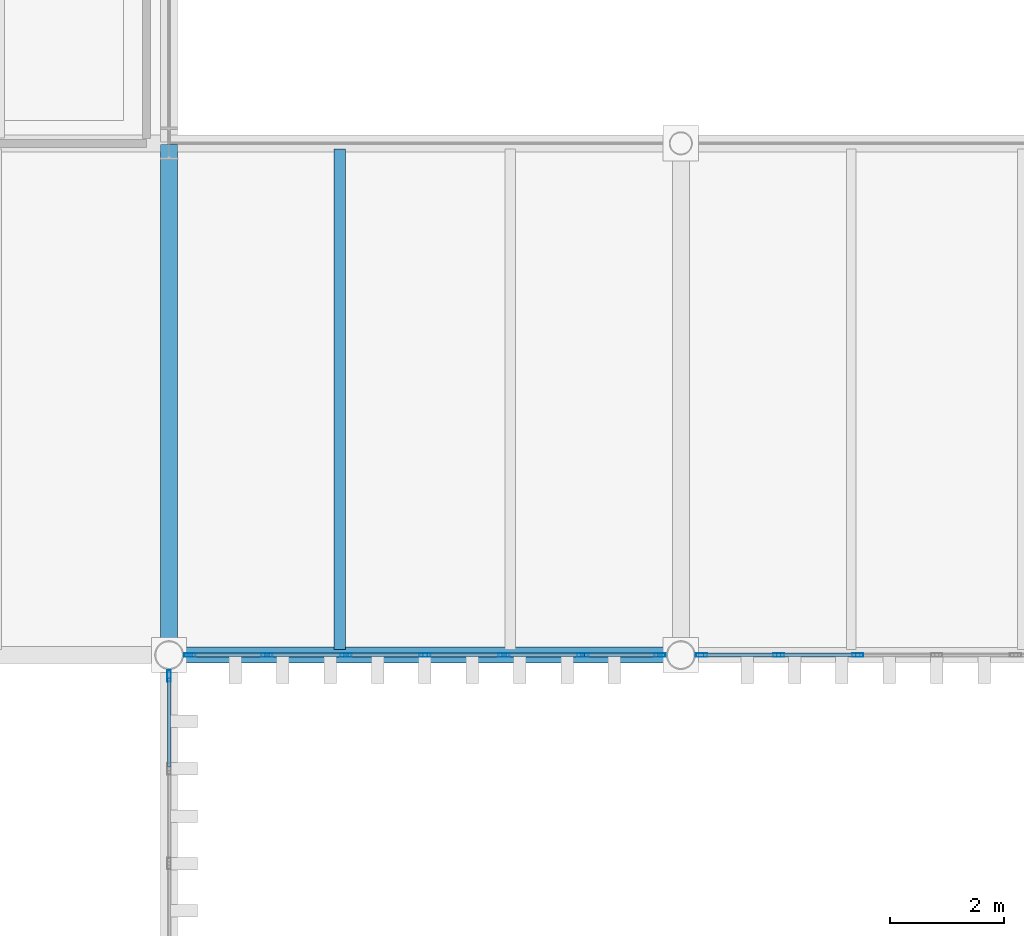
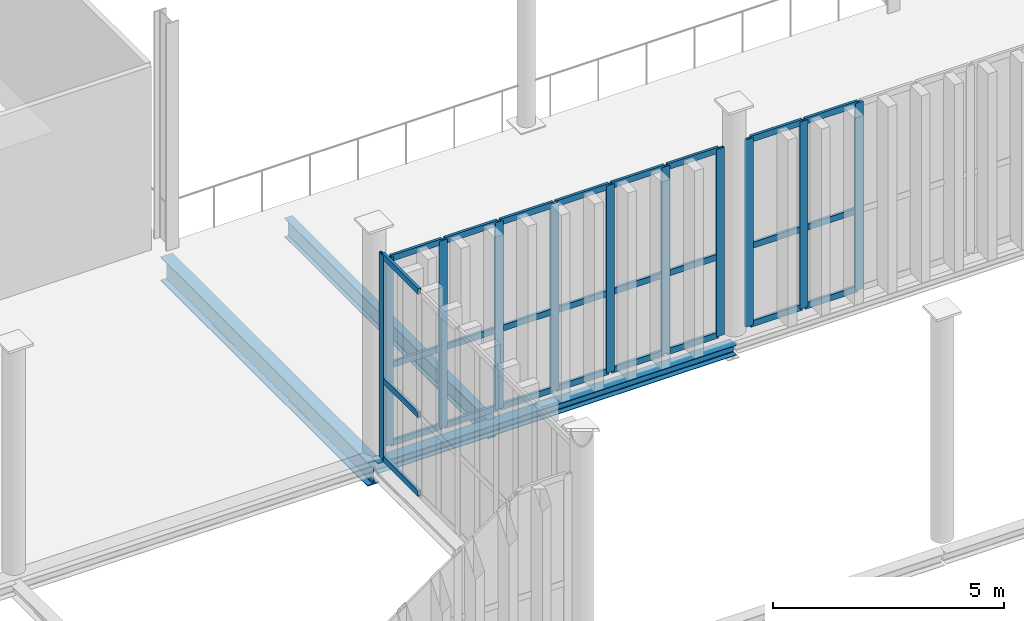
# One storey, part 32 of 211: 38 members, 3 beams, 3 elements without a shape of their own.
"""IFC4 building model written with IfcOpenShell, lengths in metres."""

from ifc_helpers import new_model, si_unit, direction, frame, origin, origin_2d, place, context, subcontext, project, spatial, hollow_rectangle, i_section, extrude, material, layer, layer_set, material_profile, profile_set, type_object, element, aggregate, save


model = new_model("IFC4")

# Units and contexts
model_context = context("Model", 3, precision=1e-05, world=origin(), true_north=direction((0.0, 1.0)))
body_context = subcontext(model_context, "Body", "Model", "MODEL_VIEW")
ifc_project = project(units=[si_unit("LENGTHUNIT", "METRE"), si_unit("AREAUNIT", "SQUARE_METRE"), si_unit("VOLUMEUNIT", "CUBIC_METRE"), si_unit("PLANEANGLEUNIT", "RADIAN"), si_unit("MASSUNIT", "GRAM", prefix="KILO")], contexts=[model_context])

# Site, building, storey
site_placement = place(None, origin())
site = spatial("IfcSite", under=ifc_project, at=site_placement, CompositionType="ELEMENT")
building_placement = place(site_placement, origin())
building = spatial("IfcBuilding", under=site, at=building_placement, Name="Barlavento Convention Centre", CompositionType="ELEMENT")
storey_placement = place(building_placement, frame((0.0, 0.0, 6.0)))
storey = spatial("IfcBuildingStorey", under=building, at=storey_placement, Name="L01", CompositionType="ELEMENT", Elevation=6.0)

# Curtain wall, members
ifc_material_1 = material(Name="Powder-coated aluminium and Low-E glass", Category="aluminium")
ifc_layer = layer(ifc_material_1, 0.18505859375)
ifc_layer_set = layer_set([ifc_layer], Name="ARC-CW-CONG-L01")
curtain_wall_type = type_object("IfcCurtainWallType", Name="ARC-CW-CONG-L01", PredefinedType="NOTDEFINED", material=ifc_layer_set)
curtain_wall_1_placement = place(storey_placement, origin())
curtain_wall_1 = element("IfcCurtainWall", 1, at=curtain_wall_1_placement, inside=storey, type_object=curtain_wall_type, Name="L01 unitised curtain wall CW01", PredefinedType="NOTDEFINED")
ifc_material_2 = material(Name="Powder-coated aluminium", Category="aluminium")
ifc_material_profile_1 = material_profile(ifc_material_2, hollow_rectangle(XDim=0.06494140625, YDim=0.199951171875, WallThickness=0.0048828125, at=origin_2d()), Name="AL-MULL 65x200x5")
ifc_profile_set_1 = profile_set([ifc_material_profile_1], Name="Powder-coated aluminium")
member_type_1 = type_object("IfcMemberType", Name="ARC-CWM-65X200", PredefinedType="MULLION", material=ifc_profile_set_1)
member_1_placement = place(storey_placement, frame((18.366455078125, 9.0, 0.0), z_axis=(0.0, 0.0, 1.0), x_axis=(0.0, 1.0, 0.0)))
member_1 = element("IfcMember", 2, at=member_1_placement, type_object=member_type_1, Name="CW01 mullion 1", PredefinedType="MULLION", context=body_context, shape_type="SweptSolid", body=[
    extrude(hollow_rectangle(XDim=0.06494140625, YDim=0.199951171875, WallThickness=0.0048828125, at=origin_2d()), origin(), (0.0, 0.0, 1.0), 4.949951171875),
])
member_2_placement = place(storey_placement, frame((19.72265625, 9.0, 0.0), z_axis=(0.0, 0.0, 1.0), x_axis=(0.0, 1.0, 0.0)))
member_2 = element("IfcMember", 3, at=member_2_placement, type_object=member_type_1, Name="CW01 mullion 2", PredefinedType="MULLION", context=body_context, shape_type="SweptSolid", body=[
    extrude(hollow_rectangle(XDim=0.06494140625, YDim=0.199951171875, WallThickness=0.0048828125, at=origin_2d()), origin(), (0.0, 0.0, 1.0), 4.949951171875),
])
member_3_placement = place(storey_placement, frame((21.111328125, 9.0, 0.0), z_axis=(0.0, 0.0, 1.0), x_axis=(0.0, 1.0, 0.0)))
member_3 = element("IfcMember", 4, at=member_3_placement, type_object=member_type_1, Name="CW01 mullion 3", PredefinedType="MULLION", context=body_context, shape_type="SweptSolid", body=[
    extrude(hollow_rectangle(XDim=0.06494140625, YDim=0.199951171875, WallThickness=0.0048828125, at=origin_2d()), origin(), (0.0, 0.0, 1.0), 4.949951171875),
])
member_4_placement = place(storey_placement, frame((22.5, 9.0, 0.0), z_axis=(0.0, 0.0, 1.0), x_axis=(0.0, 1.0, 0.0)))
member_4 = element("IfcMember", 5, at=member_4_placement, type_object=member_type_1, Name="CW01 mullion 4", PredefinedType="MULLION", context=body_context, shape_type="SweptSolid", body=[
    extrude(hollow_rectangle(XDim=0.06494140625, YDim=0.199951171875, WallThickness=0.0048828125, at=origin_2d()), origin(), (0.0, 0.0, 1.0), 4.949951171875),
])
member_5_placement = place(storey_placement, frame((23.888671875, 9.0, 0.0), z_axis=(0.0, 0.0, 1.0), x_axis=(0.0, 1.0, 0.0)))
member_5 = element("IfcMember", 6, at=member_5_placement, type_object=member_type_1, Name="CW01 mullion 5", PredefinedType="MULLION", context=body_context, shape_type="SweptSolid", body=[
    extrude(hollow_rectangle(XDim=0.06494140625, YDim=0.199951171875, WallThickness=0.0048828125, at=origin_2d()), origin(), (0.0, 0.0, 1.0), 4.949951171875),
])
member_6_placement = place(storey_placement, frame((25.27734375, 9.0, 0.0), z_axis=(0.0, 0.0, 1.0), x_axis=(0.0, 1.0, 0.0)))
member_6 = element("IfcMember", 7, at=member_6_placement, type_object=member_type_1, Name="CW01 mullion 6", PredefinedType="MULLION", context=body_context, shape_type="SweptSolid", body=[
    extrude(hollow_rectangle(XDim=0.06494140625, YDim=0.199951171875, WallThickness=0.0048828125, at=origin_2d()), origin(), (0.0, 0.0, 1.0), 4.949951171875),
])
member_7_placement = place(storey_placement, frame((26.633544921875, 9.0, 0.0), z_axis=(0.0, 0.0, 1.0), x_axis=(0.0, 1.0, 0.0)))
member_7 = element("IfcMember", 8, at=member_7_placement, type_object=member_type_1, Name="CW01 mullion 7", PredefinedType="MULLION", context=body_context, shape_type="SweptSolid", body=[
    extrude(hollow_rectangle(XDim=0.06494140625, YDim=0.199951171875, WallThickness=0.0048828125, at=origin_2d()), origin(), (0.0, 0.0, 1.0), 4.949951171875),
])

curtain_wall_2_placement = place(storey_placement, origin())
curtain_wall_2 = element("IfcCurtainWall", 9, at=curtain_wall_2_placement, inside=storey, type_object=curtain_wall_type, Name="L01 unitised curtain wall CW01", PredefinedType="NOTDEFINED")
member_8_placement = place(storey_placement, frame((27.366455078125, 9.0, 0.0), z_axis=(0.0, 0.0, 1.0), x_axis=(0.0, 1.0, 0.0)))
member_8 = element("IfcMember", 10, at=member_8_placement, type_object=member_type_1, Name="CW01 mullion 1", PredefinedType="MULLION", context=body_context, shape_type="SweptSolid", body=[
    extrude(hollow_rectangle(XDim=0.06494140625, YDim=0.199951171875, WallThickness=0.0048828125, at=origin_2d()), origin(), (0.0, 0.0, 1.0), 4.949951171875),
])
member_9_placement = place(storey_placement, frame((28.72265625, 9.0, 0.0), z_axis=(0.0, 0.0, 1.0), x_axis=(0.0, 1.0, 0.0)))
member_9 = element("IfcMember", 11, at=member_9_placement, type_object=member_type_1, Name="CW01 mullion 2", PredefinedType="MULLION", context=body_context, shape_type="SweptSolid", body=[
    extrude(hollow_rectangle(XDim=0.06494140625, YDim=0.199951171875, WallThickness=0.0048828125, at=origin_2d()), origin(), (0.0, 0.0, 1.0), 4.949951171875),
])
member_10_placement = place(storey_placement, frame((30.111328125, 9.0, 0.0), z_axis=(0.0, 0.0, 1.0), x_axis=(0.0, 1.0, 0.0)))
member_10 = element("IfcMember", 12, at=member_10_placement, type_object=member_type_1, Name="CW01 mullion 3", PredefinedType="MULLION", context=body_context, shape_type="SweptSolid", body=[
    extrude(hollow_rectangle(XDim=0.06494140625, YDim=0.199951171875, WallThickness=0.0048828125, at=origin_2d()), origin(), (0.0, 0.0, 1.0), 4.949951171875),
])

# Curtain wall, member
curtain_wall_3_placement = place(storey_placement, origin())
curtain_wall_3 = element("IfcCurtainWall", 13, at=curtain_wall_3_placement, inside=storey, type_object=curtain_wall_type, Name="L01 unitised curtain wall CW01", PredefinedType="NOTDEFINED")
member_11_placement = place(storey_placement, frame((18.0, 8.633544921875, 0.0), z_axis=(0.0, 0.0, 1.0), x_axis=(-1.0, 0.0, 0.0)))
member_11 = element("IfcMember", 14, at=member_11_placement, type_object=member_type_1, Name="CW01 mullion 6", PredefinedType="MULLION", context=body_context, shape_type="SweptSolid", body=[
    extrude(hollow_rectangle(XDim=0.06494140625, YDim=0.199951171875, WallThickness=0.0048828125, at=origin_2d()), origin(), (0.0, 0.0, 1.0), 5.39990234375),
])

# Member
ifc_material_profile_2 = material_profile(ifc_material_2, hollow_rectangle(XDim=0.06494140625, YDim=0.159912109375, WallThickness=0.0048828125, at=origin_2d()), Name="AL-TRAN 65x160x5")
ifc_profile_set_2 = profile_set([ifc_material_profile_2], Name="Powder-coated aluminium")
member_type_2 = type_object("IfcMemberType", Name="ARC-CWT-65X160", PredefinedType="USERDEFINED", material=ifc_profile_set_2)
member_12_placement = place(storey_placement, frame((18.39892578125, 9.0, 0.032470703125), z_axis=(1.0, 0.0, 0.0), x_axis=(0.0, 1.0, 0.0)))
member_12 = element("IfcMember", 15, at=member_12_placement, type_object=member_type_2, Name="CW01 transom 1.1", ObjectType="TRANSOM", PredefinedType="USERDEFINED", context=body_context, shape_type="SweptSolid", body=[
    extrude(hollow_rectangle(XDim=0.06494140625, YDim=0.159912109375, WallThickness=0.0048828125, at=origin_2d()), origin(), (0.0, 0.0, 1.0), 1.291259765625),
])

member_13_placement = place(storey_placement, frame((18.39892578125, 9.0, 2.10009765625), z_axis=(1.0, 0.0, 0.0), x_axis=(0.0, 1.0, 0.0)))
member_13 = element("IfcMember", 16, at=member_13_placement, type_object=member_type_2, Name="CW01 transom 1.2", ObjectType="TRANSOM", PredefinedType="USERDEFINED", context=body_context, shape_type="SweptSolid", body=[
    extrude(hollow_rectangle(XDim=0.06494140625, YDim=0.159912109375, WallThickness=0.0048828125, at=origin_2d()), origin(), (0.0, 0.0, 1.0), 1.291259765625),
])

member_14_placement = place(storey_placement, frame((18.39892578125, 9.0, 4.91748046875), z_axis=(1.0, 0.0, 0.0), x_axis=(0.0, 1.0, 0.0)))
member_14 = element("IfcMember", 17, at=member_14_placement, type_object=member_type_2, Name="CW01 transom 1.3", ObjectType="TRANSOM", PredefinedType="USERDEFINED", context=body_context, shape_type="SweptSolid", body=[
    extrude(hollow_rectangle(XDim=0.06494140625, YDim=0.159912109375, WallThickness=0.0048828125, at=origin_2d()), origin(), (0.0, 0.0, 1.0), 1.291259765625),
])

member_15_placement = place(storey_placement, frame((19.755126953125, 9.0, 0.032470703125), z_axis=(1.0, 0.0, 0.0), x_axis=(0.0, 1.0, 0.0)))
member_15 = element("IfcMember", 18, at=member_15_placement, type_object=member_type_2, Name="CW01 transom 2.1", ObjectType="TRANSOM", PredefinedType="USERDEFINED", context=body_context, shape_type="SweptSolid", body=[
    extrude(hollow_rectangle(XDim=0.06494140625, YDim=0.159912109375, WallThickness=0.0048828125, at=origin_2d()), origin(), (0.0, 0.0, 1.0), 1.32373046875),
])

member_16_placement = place(storey_placement, frame((19.755126953125, 9.0, 2.10009765625), z_axis=(1.0, 0.0, 0.0), x_axis=(0.0, 1.0, 0.0)))
member_16 = element("IfcMember", 19, at=member_16_placement, type_object=member_type_2, Name="CW01 transom 2.2", ObjectType="TRANSOM", PredefinedType="USERDEFINED", context=body_context, shape_type="SweptSolid", body=[
    extrude(hollow_rectangle(XDim=0.06494140625, YDim=0.159912109375, WallThickness=0.0048828125, at=origin_2d()), origin(), (0.0, 0.0, 1.0), 1.32373046875),
])

member_17_placement = place(storey_placement, frame((19.755126953125, 9.0, 4.91748046875), z_axis=(1.0, 0.0, 0.0), x_axis=(0.0, 1.0, 0.0)))
member_17 = element("IfcMember", 20, at=member_17_placement, type_object=member_type_2, Name="CW01 transom 2.3", ObjectType="TRANSOM", PredefinedType="USERDEFINED", context=body_context, shape_type="SweptSolid", body=[
    extrude(hollow_rectangle(XDim=0.06494140625, YDim=0.159912109375, WallThickness=0.0048828125, at=origin_2d()), origin(), (0.0, 0.0, 1.0), 1.32373046875),
])

member_18_placement = place(storey_placement, frame((21.143798828125, 9.0, 0.032470703125), z_axis=(1.0, 0.0, 0.0), x_axis=(0.0, 1.0, 0.0)))
member_18 = element("IfcMember", 21, at=member_18_placement, type_object=member_type_2, Name="CW01 transom 3.1", ObjectType="TRANSOM", PredefinedType="USERDEFINED", context=body_context, shape_type="SweptSolid", body=[
    extrude(hollow_rectangle(XDim=0.06494140625, YDim=0.159912109375, WallThickness=0.0048828125, at=origin_2d()), origin(), (0.0, 0.0, 1.0), 1.32373046875),
])

member_19_placement = place(storey_placement, frame((21.143798828125, 9.0, 2.10009765625), z_axis=(1.0, 0.0, 0.0), x_axis=(0.0, 1.0, 0.0)))
member_19 = element("IfcMember", 22, at=member_19_placement, type_object=member_type_2, Name="CW01 transom 3.2", ObjectType="TRANSOM", PredefinedType="USERDEFINED", context=body_context, shape_type="SweptSolid", body=[
    extrude(hollow_rectangle(XDim=0.06494140625, YDim=0.159912109375, WallThickness=0.0048828125, at=origin_2d()), origin(), (0.0, 0.0, 1.0), 1.32373046875),
])

member_20_placement = place(storey_placement, frame((21.143798828125, 9.0, 4.91748046875), z_axis=(1.0, 0.0, 0.0), x_axis=(0.0, 1.0, 0.0)))
member_20 = element("IfcMember", 23, at=member_20_placement, type_object=member_type_2, Name="CW01 transom 3.3", ObjectType="TRANSOM", PredefinedType="USERDEFINED", context=body_context, shape_type="SweptSolid", body=[
    extrude(hollow_rectangle(XDim=0.06494140625, YDim=0.159912109375, WallThickness=0.0048828125, at=origin_2d()), origin(), (0.0, 0.0, 1.0), 1.32373046875),
])

member_21_placement = place(storey_placement, frame((22.532470703125, 9.0, 0.032470703125), z_axis=(1.0, 0.0, 0.0), x_axis=(0.0, 1.0, 0.0)))
member_21 = element("IfcMember", 24, at=member_21_placement, type_object=member_type_2, Name="CW01 transom 4.1", ObjectType="TRANSOM", PredefinedType="USERDEFINED", context=body_context, shape_type="SweptSolid", body=[
    extrude(hollow_rectangle(XDim=0.06494140625, YDim=0.159912109375, WallThickness=0.0048828125, at=origin_2d()), origin(), (0.0, 0.0, 1.0), 1.32373046875),
])

member_22_placement = place(storey_placement, frame((22.532470703125, 9.0, 2.10009765625), z_axis=(1.0, 0.0, 0.0), x_axis=(0.0, 1.0, 0.0)))
member_22 = element("IfcMember", 25, at=member_22_placement, type_object=member_type_2, Name="CW01 transom 4.2", ObjectType="TRANSOM", PredefinedType="USERDEFINED", context=body_context, shape_type="SweptSolid", body=[
    extrude(hollow_rectangle(XDim=0.06494140625, YDim=0.159912109375, WallThickness=0.0048828125, at=origin_2d()), origin(), (0.0, 0.0, 1.0), 1.32373046875),
])

member_23_placement = place(storey_placement, frame((22.532470703125, 9.0, 4.91748046875), z_axis=(1.0, 0.0, 0.0), x_axis=(0.0, 1.0, 0.0)))
member_23 = element("IfcMember", 26, at=member_23_placement, type_object=member_type_2, Name="CW01 transom 4.3", ObjectType="TRANSOM", PredefinedType="USERDEFINED", context=body_context, shape_type="SweptSolid", body=[
    extrude(hollow_rectangle(XDim=0.06494140625, YDim=0.159912109375, WallThickness=0.0048828125, at=origin_2d()), origin(), (0.0, 0.0, 1.0), 1.32373046875),
])

member_24_placement = place(storey_placement, frame((23.921142578125, 9.0, 0.032470703125), z_axis=(1.0, 0.0, 0.0), x_axis=(0.0, 1.0, 0.0)))
member_24 = element("IfcMember", 27, at=member_24_placement, type_object=member_type_2, Name="CW01 transom 5.1", ObjectType="TRANSOM", PredefinedType="USERDEFINED", context=body_context, shape_type="SweptSolid", body=[
    extrude(hollow_rectangle(XDim=0.06494140625, YDim=0.159912109375, WallThickness=0.0048828125, at=origin_2d()), origin(), (0.0, 0.0, 1.0), 1.32373046875),
])

member_25_placement = place(storey_placement, frame((23.921142578125, 9.0, 2.10009765625), z_axis=(1.0, 0.0, 0.0), x_axis=(0.0, 1.0, 0.0)))
member_25 = element("IfcMember", 28, at=member_25_placement, type_object=member_type_2, Name="CW01 transom 5.2", ObjectType="TRANSOM", PredefinedType="USERDEFINED", context=body_context, shape_type="SweptSolid", body=[
    extrude(hollow_rectangle(XDim=0.06494140625, YDim=0.159912109375, WallThickness=0.0048828125, at=origin_2d()), origin(), (0.0, 0.0, 1.0), 1.32373046875),
])

member_26_placement = place(storey_placement, frame((23.921142578125, 9.0, 4.91748046875), z_axis=(1.0, 0.0, 0.0), x_axis=(0.0, 1.0, 0.0)))
member_26 = element("IfcMember", 29, at=member_26_placement, type_object=member_type_2, Name="CW01 transom 5.3", ObjectType="TRANSOM", PredefinedType="USERDEFINED", context=body_context, shape_type="SweptSolid", body=[
    extrude(hollow_rectangle(XDim=0.06494140625, YDim=0.159912109375, WallThickness=0.0048828125, at=origin_2d()), origin(), (0.0, 0.0, 1.0), 1.32373046875),
])

member_27_placement = place(storey_placement, frame((25.309814453125, 9.0, 0.032470703125), z_axis=(1.0, 0.0, 0.0), x_axis=(0.0, 1.0, 0.0)))
member_27 = element("IfcMember", 30, at=member_27_placement, type_object=member_type_2, Name="CW01 transom 6.1", ObjectType="TRANSOM", PredefinedType="USERDEFINED", context=body_context, shape_type="SweptSolid", body=[
    extrude(hollow_rectangle(XDim=0.06494140625, YDim=0.159912109375, WallThickness=0.0048828125, at=origin_2d()), origin(), (0.0, 0.0, 1.0), 1.291259765625),
])

member_28_placement = place(storey_placement, frame((25.309814453125, 9.0, 2.10009765625), z_axis=(1.0, 0.0, 0.0), x_axis=(0.0, 1.0, 0.0)))
member_28 = element("IfcMember", 31, at=member_28_placement, type_object=member_type_2, Name="CW01 transom 6.2", ObjectType="TRANSOM", PredefinedType="USERDEFINED", context=body_context, shape_type="SweptSolid", body=[
    extrude(hollow_rectangle(XDim=0.06494140625, YDim=0.159912109375, WallThickness=0.0048828125, at=origin_2d()), origin(), (0.0, 0.0, 1.0), 1.291259765625),
])

member_29_placement = place(storey_placement, frame((25.309814453125, 9.0, 4.91748046875), z_axis=(1.0, 0.0, 0.0), x_axis=(0.0, 1.0, 0.0)))
member_29 = element("IfcMember", 32, at=member_29_placement, type_object=member_type_2, Name="CW01 transom 6.3", ObjectType="TRANSOM", PredefinedType="USERDEFINED", context=body_context, shape_type="SweptSolid", body=[
    extrude(hollow_rectangle(XDim=0.06494140625, YDim=0.159912109375, WallThickness=0.0048828125, at=origin_2d()), origin(), (0.0, 0.0, 1.0), 1.291259765625),
])

aggregate(curtain_wall_1, [member_1, member_2, member_3, member_4, member_5, member_6, member_7, member_12, member_13, member_14, member_15, member_16, member_17, member_18, member_19, member_20, member_21, member_22, member_23, member_24, member_25, member_26, member_27, member_28, member_29])

member_30_placement = place(storey_placement, frame((27.39892578125, 9.0, 0.032470703125), z_axis=(1.0, 0.0, 0.0), x_axis=(0.0, 1.0, 0.0)))
member_30 = element("IfcMember", 33, at=member_30_placement, type_object=member_type_2, Name="CW01 transom 1.1", ObjectType="TRANSOM", PredefinedType="USERDEFINED", context=body_context, shape_type="SweptSolid", body=[
    extrude(hollow_rectangle(XDim=0.06494140625, YDim=0.159912109375, WallThickness=0.0048828125, at=origin_2d()), origin(), (0.0, 0.0, 1.0), 1.291259765625),
])

member_31_placement = place(storey_placement, frame((27.39892578125, 9.0, 2.10009765625), z_axis=(1.0, 0.0, 0.0), x_axis=(0.0, 1.0, 0.0)))
member_31 = element("IfcMember", 34, at=member_31_placement, type_object=member_type_2, Name="CW01 transom 1.2", ObjectType="TRANSOM", PredefinedType="USERDEFINED", context=body_context, shape_type="SweptSolid", body=[
    extrude(hollow_rectangle(XDim=0.06494140625, YDim=0.159912109375, WallThickness=0.0048828125, at=origin_2d()), origin(), (0.0, 0.0, 1.0), 1.291259765625),
])

member_32_placement = place(storey_placement, frame((27.39892578125, 9.0, 4.91748046875), z_axis=(1.0, 0.0, 0.0), x_axis=(0.0, 1.0, 0.0)))
member_32 = element("IfcMember", 35, at=member_32_placement, type_object=member_type_2, Name="CW01 transom 1.3", ObjectType="TRANSOM", PredefinedType="USERDEFINED", context=body_context, shape_type="SweptSolid", body=[
    extrude(hollow_rectangle(XDim=0.06494140625, YDim=0.159912109375, WallThickness=0.0048828125, at=origin_2d()), origin(), (0.0, 0.0, 1.0), 1.291259765625),
])

member_33_placement = place(storey_placement, frame((28.755126953125, 9.0, 0.032470703125), z_axis=(1.0, 0.0, 0.0), x_axis=(0.0, 1.0, 0.0)))
member_33 = element("IfcMember", 36, at=member_33_placement, type_object=member_type_2, Name="CW01 transom 2.1", ObjectType="TRANSOM", PredefinedType="USERDEFINED", context=body_context, shape_type="SweptSolid", body=[
    extrude(hollow_rectangle(XDim=0.06494140625, YDim=0.159912109375, WallThickness=0.0048828125, at=origin_2d()), origin(), (0.0, 0.0, 1.0), 1.32373046875),
])

member_34_placement = place(storey_placement, frame((28.755126953125, 9.0, 2.10009765625), z_axis=(1.0, 0.0, 0.0), x_axis=(0.0, 1.0, 0.0)))
member_34 = element("IfcMember", 37, at=member_34_placement, type_object=member_type_2, Name="CW01 transom 2.2", ObjectType="TRANSOM", PredefinedType="USERDEFINED", context=body_context, shape_type="SweptSolid", body=[
    extrude(hollow_rectangle(XDim=0.06494140625, YDim=0.159912109375, WallThickness=0.0048828125, at=origin_2d()), origin(), (0.0, 0.0, 1.0), 1.32373046875),
])

member_35_placement = place(storey_placement, frame((28.755126953125, 9.0, 4.91748046875), z_axis=(1.0, 0.0, 0.0), x_axis=(0.0, 1.0, 0.0)))
member_35 = element("IfcMember", 38, at=member_35_placement, type_object=member_type_2, Name="CW01 transom 2.3", ObjectType="TRANSOM", PredefinedType="USERDEFINED", context=body_context, shape_type="SweptSolid", body=[
    extrude(hollow_rectangle(XDim=0.06494140625, YDim=0.159912109375, WallThickness=0.0048828125, at=origin_2d()), origin(), (0.0, 0.0, 1.0), 1.32373046875),
])

aggregate(curtain_wall_2, [member_8, member_9, member_10, member_30, member_31, member_32, member_33, member_34, member_35])

member_36_placement = place(storey_placement, frame((18.0, 7.031982421875, 0.032470703125), z_axis=(0.0, 1.0, 0.0), x_axis=(-1.0, 0.0, 0.0)))
member_36 = element("IfcMember", 39, at=member_36_placement, type_object=member_type_2, Name="CW01 transom 5.1", ObjectType="TRANSOM", PredefinedType="USERDEFINED", context=body_context, shape_type="SweptSolid", body=[
    extrude(hollow_rectangle(XDim=0.06494140625, YDim=0.159912109375, WallThickness=0.0048828125, at=origin_2d()), origin(), (0.0, 0.0, 1.0), 1.569091796875),
])

member_37_placement = place(storey_placement, frame((18.0, 7.031982421875, 2.10009765625), z_axis=(0.0, 1.0, 0.0), x_axis=(-1.0, 0.0, 0.0)))
member_37 = element("IfcMember", 40, at=member_37_placement, type_object=member_type_2, Name="CW01 transom 5.2", ObjectType="TRANSOM", PredefinedType="USERDEFINED", context=body_context, shape_type="SweptSolid", body=[
    extrude(hollow_rectangle(XDim=0.06494140625, YDim=0.159912109375, WallThickness=0.0048828125, at=origin_2d()), origin(), (0.0, 0.0, 1.0), 1.569091796875),
])

member_38_placement = place(storey_placement, frame((18.0, 7.031982421875, 5.367431640625), z_axis=(0.0, 1.0, 0.0), x_axis=(-1.0, 0.0, 0.0)))
member_38 = element("IfcMember", 41, at=member_38_placement, type_object=member_type_2, Name="CW01 transom 5.3", ObjectType="TRANSOM", PredefinedType="USERDEFINED", context=body_context, shape_type="SweptSolid", body=[
    extrude(hollow_rectangle(XDim=0.06494140625, YDim=0.159912109375, WallThickness=0.0048828125, at=origin_2d()), origin(), (0.0, 0.0, 1.0), 1.569091796875),
])

aggregate(curtain_wall_3, [member_11, member_36, member_37, member_38])

# Beams
ifc_material_3 = material(Name="Steel S355", Category="steel")
ifc_material_profile_3 = material_profile(ifc_material_3, i_section(OverallWidth=0.199951171875, OverallDepth=0.5, WebThickness=0.01025390625, FlangeThickness=0.01611328125, FilletRadius=0.02099609375, at=origin_2d()), Name="IPE 500")
ifc_profile_set_3 = profile_set([ifc_material_profile_3], Name="Steel S355")
beam_type_1 = type_object("IfcBeamType", Name="STR-BM-JST-IPE500", PredefinedType="JOIST", material=ifc_profile_set_3)
beam_1_placement = place(storey_placement, frame((21.0, 9.094970703125, -0.550048828125), z_axis=(0.0, 1.0, 0.0), x_axis=(-1.0, 0.0, 0.0)))
element("IfcBeam", 42, at=beam_1_placement, inside=storey, type_object=beam_type_1, Name="L01 composite floor joist SJ02", PredefinedType="JOIST", context=body_context, shape_type="SweptSolid", body=[
    extrude(i_section(OverallWidth=0.199951171875, OverallDepth=0.5, WebThickness=0.01025390625, FlangeThickness=0.01611328125, FilletRadius=0.02099609375, at=origin_2d()), origin(), (0.0, 0.0, 1.0), 8.81005859375),
])
ifc_material_profile_4 = material_profile(ifc_material_3, i_section(OverallWidth=0.300048828125, OverallDepth=0.639892578125, WebThickness=0.013427734375, FlangeThickness=0.02587890625, FilletRadius=0.027099609375, at=origin_2d()), Name="HEA 650")
ifc_profile_set_4 = profile_set([ifc_material_profile_4], Name="Steel S355")
beam_type_2 = type_object("IfcBeamType", Name="STR-BM-PRI-HEA650", PredefinedType="BEAM", material=ifc_profile_set_4)
beam_2_placement = place(storey_placement, frame((18.0, 9.02001953125, -0.6201171875), z_axis=(0.0, 1.0, 0.0), x_axis=(-1.0, 0.0, 0.0)))
element("IfcBeam", 43, at=beam_2_placement, inside=storey, type_object=beam_type_2, Name="L01 grid girder BG17", PredefinedType="BEAM", context=body_context, shape_type="SweptSolid", body=[
    extrude(i_section(OverallWidth=0.300048828125, OverallDepth=0.639892578125, WebThickness=0.013427734375, FlangeThickness=0.02587890625, FilletRadius=0.027099609375, at=origin_2d()), origin(), (0.0, 0.0, 1.0), 8.9599609375),
])
ifc_material_profile_5 = material_profile(ifc_material_3, i_section(OverallWidth=0.280029296875, OverallDepth=0.27001953125, WebThickness=0.008056640625, FlangeThickness=0.012939453125, FilletRadius=0.02392578125, at=origin_2d()), Name="HEA 280")
ifc_profile_set_5 = profile_set([ifc_material_profile_5], Name="Steel S355")
beam_type_3 = type_object("IfcBeamType", Name="STR-BM-SPN-HEA280", PredefinedType="SPANDREL", material=ifc_profile_set_5)
beam_3_placement = place(storey_placement, frame((18.02001953125, 9.0, -0.43505859375), z_axis=(1.0, 0.0, 0.0), x_axis=(0.0, 1.0, 0.0)))
element("IfcBeam", 44, at=beam_3_placement, inside=storey, type_object=beam_type_3, Name="L01 primary girder SP03", PredefinedType="SPANDREL", context=body_context, shape_type="SweptSolid", body=[
    extrude(i_section(OverallWidth=0.280029296875, OverallDepth=0.27001953125, WebThickness=0.008056640625, FlangeThickness=0.012939453125, FilletRadius=0.02392578125, at=origin_2d()), origin(), (0.0, 0.0, 1.0), 8.9599609375),
])

save(model, "model.ifc")
